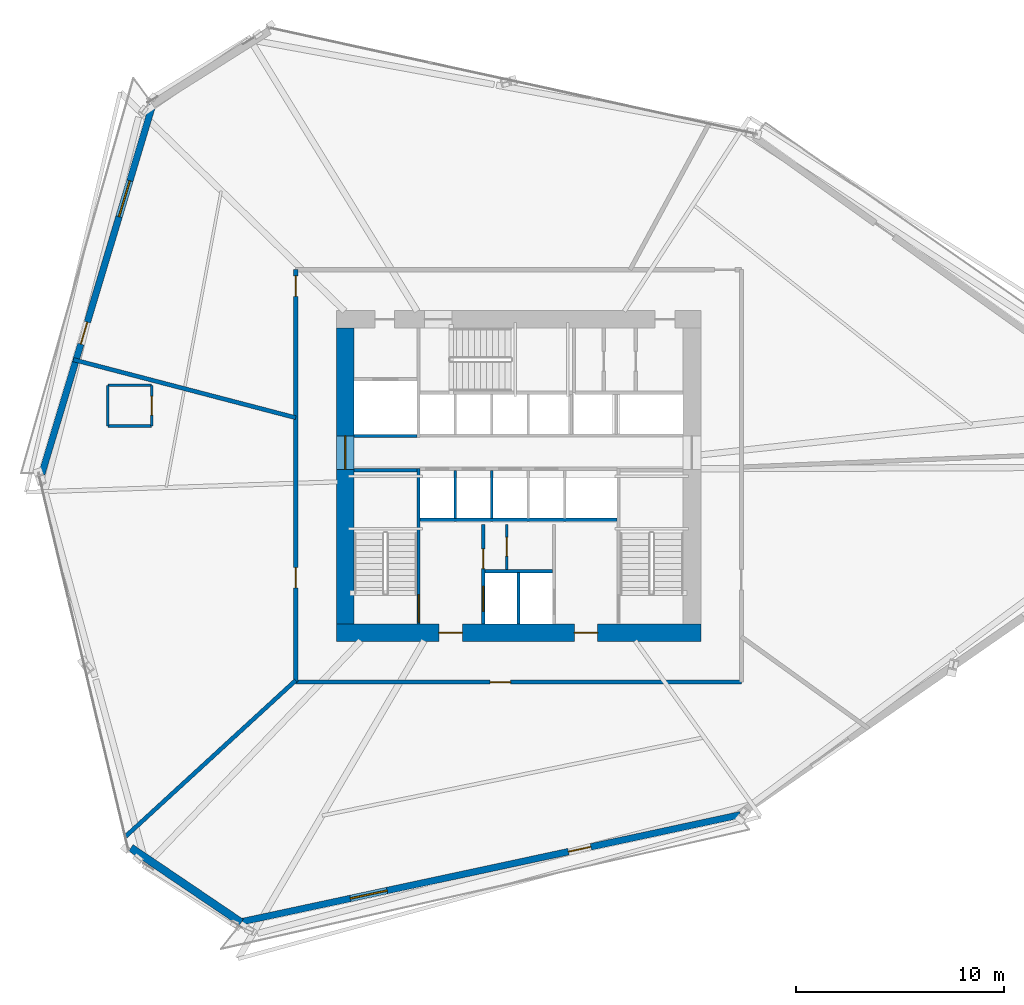
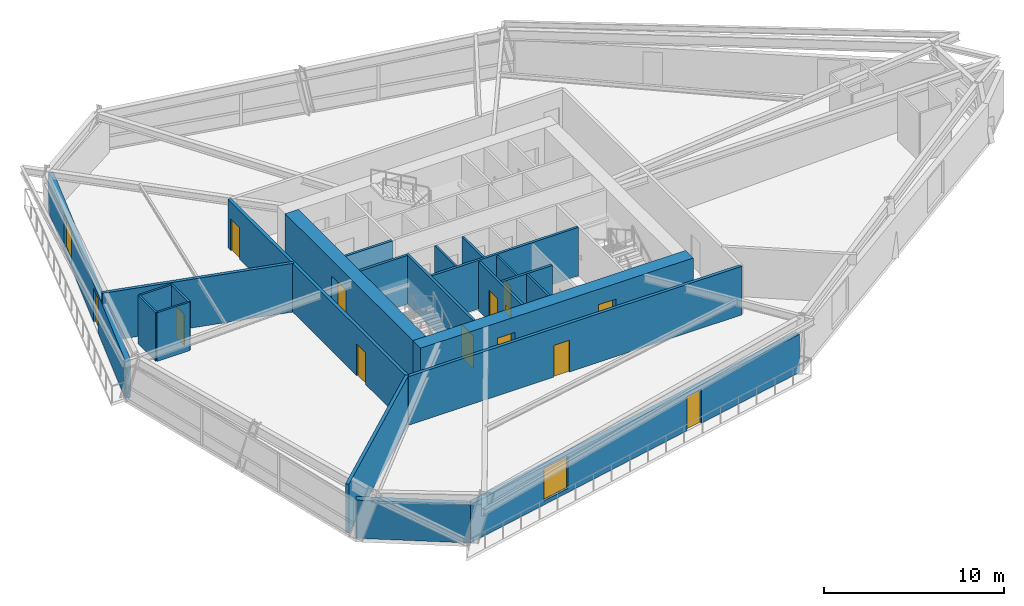
# One storey, part 16 of 21: 23 walls, 13 doors, 2 windows, 15 openings.
"""IFC4 building model written with IfcOpenShell, lengths in metres."""

from ifc_helpers import new_model, si_unit, direction, frame, frame_2d, origin, place, context, subcontext, project, spatial, rectangle, extrude, source, transform, mapped, material, layer, layer_set, type_object, type_shapes, element, fill, save


model = new_model("IFC4")

# Units and contexts
model_context = context("Model", 3, precision=1e-05, world=origin(), true_north=direction((0.0, 1.0)))
body_context = subcontext(model_context, "Body", "Model", "MODEL_VIEW")
ifc_project = project(units=[si_unit("LENGTHUNIT", "METRE"), si_unit("AREAUNIT", "SQUARE_METRE"), si_unit("VOLUMEUNIT", "CUBIC_METRE"), si_unit("PLANEANGLEUNIT", "RADIAN"), si_unit("MASSUNIT", "GRAM", prefix="KILO")], contexts=[model_context])

# Site, building, storey
site_placement = place(None, origin())
site = spatial("IfcSite", under=ifc_project, at=site_placement, CompositionType="ELEMENT")
building_placement = place(site_placement, origin())
building = spatial("IfcBuilding", under=site, at=building_placement, Name="Olszyna Solenne Hotel", CompositionType="ELEMENT")
storey_placement = place(building_placement, frame((0.0, 0.0, 39.949951171875)))
storey = spatial("IfcBuildingStorey", under=building, at=storey_placement, Name="L09", CompositionType="ELEMENT", Elevation=39.949951171875)

# Wall, openings, doors
ifc_material_1 = material(Name="Concrete C60/75", Category="concrete")
ifc_layer_1 = layer(ifc_material_1, 0.85009765625, Name="Concrete C60/75")
ifc_layer_set_1 = layer_set([ifc_layer_1], Name="Concrete C60/75")
wall_type_1 = type_object("IfcWallType", Name="WL-CR850", PredefinedType="SHEAR", material=ifc_layer_set_1)
wall_1_placement = place(storey_placement, frame((46.75, 19.074951171875, 0.0), z_axis=(0.0, 0.0, 1.0), x_axis=(-1.0, 0.0, 0.0)))
wall_1 = element("IfcWall", 1, at=wall_1_placement, inside=storey, type_object=wall_type_1, Name="Core shear wall WL-CR850 CRW-L09-S", PredefinedType="SHEAR", context=body_context, shape_type="SweptSolid", body=[
    extrude(rectangle(XDim=17.5, YDim=0.85009765625, at=frame_2d((8.75, 0.0))), origin(), (0.0, 0.0, 1.0), 3.300048828125),
])
opening_1_placement = place(wall_1_placement, frame((4.949951171875, 0.0, 0.0)))
opening_1 = element("IfcOpeningElement", 2, at=opening_1_placement, cuts=wall_1, Name="Opening FL-L09-1", PredefinedType="OPENING", context=body_context, shape_type="SweptSolid", body=[
    extrude(rectangle(XDim=1.1201171875, YDim=2.25, at=frame_2d((0.56005859375, 1.125))), frame((0.0, 0.43505859375, 0.0), z_axis=(0.0, -1.0, 0.0), x_axis=(1.0, 0.0, 0.0)), (0.0, 0.0, 1.0), 0.8701171875),
])
opening_2_placement = place(wall_1_placement, frame((11.449951171875, 0.0, 0.0)))
opening_2 = element("IfcOpeningElement", 3, at=opening_2_placement, cuts=wall_1, Name="Opening FL-L09-2", PredefinedType="OPENING", context=body_context, shape_type="SweptSolid", body=[
    extrude(rectangle(XDim=1.1201171875, YDim=2.25, at=frame_2d((0.56005859375, 1.125))), frame((0.0, 0.43505859375, 0.0), z_axis=(0.0, -1.0, 0.0), x_axis=(1.0, 0.0, 0.0)), (0.0, 0.0, 1.0), 0.8701171875),
])
ifc_material_2 = material(Name="Steel S355J2", Category="steel")
door_type_1 = type_object("IfcDoorType", Name="DR-FL1", OperationType="NOTDEFINED", PredefinedType="DOOR", material=ifc_material_2)
shared_shape_1 = source(origin(), body_context, "Body", "SweptSolid", [
    extrude(rectangle(XDim=1.1201171875, YDim=2.25, at=frame_2d((0.56005859375, 1.125))), frame((0.0, 0.02490234375, 0.0), z_axis=(0.0, -1.0, 0.0), x_axis=(1.0, 0.0, 0.0)), (0.0, 0.0, 1.0), 0.050048828125),
])
type_shapes(door_type_1, [shared_shape_1])
door_1_placement = place(opening_1_placement, origin())
door_1 = element("IfcDoor", 4, at=door_1_placement, inside=storey, type_object=door_type_1, Name="Firefighting lift lobby smoke door FL-L09-1", OperationType="SINGLE_SWING_LEFT", OverallHeight=2.25, OverallWidth=1.1201171875, PredefinedType="DOOR", context=body_context, shape_type="MappedRepresentation", body=[
    mapped(shared_shape_1, transform((0.0, 0.0, 0.0), x_axis=(1.0, 0.0, 0.0), y_axis=(0.0, 1.0, 0.0), z_axis=(0.0, 0.0, 1.0), scale=1.0)),
])
fill(opening_1, door_1)
door_2_placement = place(opening_2_placement, origin())
door_2 = element("IfcDoor", 5, at=door_2_placement, inside=storey, type_object=door_type_1, Name="Firefighting lift lobby smoke door FL-L09-2", OperationType="SINGLE_SWING_RIGHT", OverallHeight=2.25, OverallWidth=1.1201171875, PredefinedType="DOOR", context=body_context, shape_type="MappedRepresentation", body=[
    mapped(shared_shape_1, transform((0.0, 0.0, 0.0), x_axis=(1.0, 0.0, 0.0), y_axis=(0.0, 1.0, 0.0), z_axis=(0.0, 0.0, 1.0), scale=1.0)),
])
fill(opening_2, door_2)

# Wall, opening, door
wall_2_placement = place(storey_placement, frame((29.675048828125, 19.5, 0.0), z_axis=(0.0, 0.0, 1.0), x_axis=(0.0, 1.0, 0.0)))
wall_2 = element("IfcWall", 6, at=wall_2_placement, inside=storey, type_object=wall_type_1, Name="Core shear wall WL-CR850 CRW-L09-W", PredefinedType="SHEAR", context=body_context, shape_type="SweptSolid", body=[
    extrude(rectangle(XDim=14.199951171875, YDim=0.85009765625, at=frame_2d((7.10009765625, 0.0))), origin(), (0.0, 0.0, 1.0), 3.300048828125),
])
opening_3_placement = place(wall_2_placement, frame((7.419921875, 0.0, 0.0)))
opening_3 = element("IfcOpeningElement", 7, at=opening_3_placement, cuts=wall_2, Name="Opening LHD-L09-W", PredefinedType="OPENING", context=body_context, shape_type="SweptSolid", body=[
    extrude(rectangle(XDim=1.60009765625, YDim=2.199951171875, at=frame_2d((0.800048828125, 1.10009765625))), frame((0.0, 0.43505859375, 0.0), z_axis=(0.0, -1.0, 0.0), x_axis=(1.0, 0.0, 0.0)), (0.0, 0.0, 1.0), 0.8701171875),
])
ifc_material_3 = material(Name="Timber hardwood", Category="wood")
door_type_2 = type_object("IfcDoorType", Name="DR-CR1", OperationType="DOUBLE_DOOR_SINGLE_SWING", PredefinedType="DOOR", material=ifc_material_3)
shared_shape_2 = source(origin(), body_context, "Body", "SweptSolid", [
    extrude(rectangle(XDim=1.60009765625, YDim=2.199951171875, at=frame_2d((0.800048828125, 1.10009765625))), frame((0.0, 0.02490234375, 0.0), z_axis=(0.0, -1.0, 0.0), x_axis=(1.0, 0.0, 0.0)), (0.0, 0.0, 1.0), 0.050048828125),
])
type_shapes(door_type_2, [shared_shape_2])
door_3_placement = place(opening_3_placement, origin())
door_3 = element("IfcDoor", 8, at=door_3_placement, inside=storey, type_object=door_type_2, Name="Passenger lift lobby West fire door LHD-L09-W", OperationType="DOUBLE_DOOR_SINGLE_SWING", OverallHeight=2.199951171875, OverallWidth=1.60009765625, PredefinedType="DOOR", context=body_context, shape_type="MappedRepresentation", body=[
    mapped(shared_shape_2, transform((0.0, 0.0, 0.0), x_axis=(1.0, 0.0, 0.0), y_axis=(0.0, 1.0, 0.0), z_axis=(0.0, 0.0, 1.0), scale=1.0)),
])
fill(opening_3, door_3)

# Wall, openings, door, window
ifc_material_4 = material(Name="Precast concrete C45/55", Category="concrete")
ifc_layer_2 = layer(ifc_material_4, 0.320068359375, Name="Precast concrete C45/55")
ifc_layer_set_2 = layer_set([ifc_layer_2], Name="Precast concrete C45/55")
wall_type_2 = type_object("IfcWallType", Name="WL-EX320", PredefinedType="SOLIDWALL", material=ifc_layer_set_2)
wall_3_placement = place(storey_placement, frame((48.650146484375, 10.331298828125, 0.0), z_axis=(0.0, 0.0, 1.0), x_axis=(-0.977755300127, -0.209748833307, 0.0)))
wall_3 = element("IfcWall", 9, at=wall_3_placement, inside=storey, type_object=wall_type_2, Name="Exterior terracotta-precast frame wall WL-EX320 EW-L09-01", PredefinedType="SOLIDWALL", context=body_context, shape_type="SweptSolid", body=[
    extrude(rectangle(XDim=24.65869140625, YDim=0.320068359375, at=frame_2d((12.329345703125, 0.0))), origin(), (0.0, 0.0, 1.0), 2.592041015625),
])
opening_4_placement = place(wall_3_placement, frame((7.341064453125, 0.0, 0.0)))
opening_4 = element("IfcOpeningElement", 10, at=opening_4_placement, cuts=wall_3, Name="Opening LDG-L09-3", PredefinedType="OPENING", context=body_context, shape_type="SweptSolid", body=[
    extrude(rectangle(XDim=1.10009765625, YDim=2.300048828125, at=frame_2d((0.550048828125, 1.14990234375))), frame((0.0, 0.169921875, 0.0), z_axis=(0.0, -1.0, 0.0), x_axis=(1.0, 0.0, 0.0)), (0.0, 0.0, 1.0), 0.340087890625),
])
opening_5_placement = place(wall_3_placement, frame((17.346923828125, 0.0, 0.27197265625)))
opening_5 = element("IfcOpeningElement", 11, at=opening_5_placement, cuts=wall_3, Name="Opening WN-L09-036", PredefinedType="OPENING", context=body_context, shape_type="SweptSolid", body=[
    extrude(rectangle(XDim=1.800048828125, YDim=2.199951171875, at=frame_2d((0.89990234375, 1.10009765625))), frame((0.0, 0.169921875, 0.0), z_axis=(0.0, -1.0, 0.0), x_axis=(1.0, 0.0, 0.0)), (0.0, 0.0, 1.0), 0.340087890625),
])
ifc_material_5 = material(Name="Anodised bronze aluminium", Category="aluminium")
door_type_3 = type_object("IfcDoorType", Name="DR-LG1", OperationType="NOTDEFINED", PredefinedType="DOOR", material=ifc_material_5)
shared_shape_3 = source(origin(), body_context, "Body", "SweptSolid", [
    extrude(rectangle(XDim=1.10009765625, YDim=2.300048828125, at=frame_2d((0.550048828125, 1.14990234375))), frame((0.0, 0.02490234375, 0.0), z_axis=(0.0, -1.0, 0.0), x_axis=(1.0, 0.0, 0.0)), (0.0, 0.0, 1.0), 0.050048828125),
])
type_shapes(door_type_3, [shared_shape_3])
door_4_placement = place(opening_4_placement, origin())
door_4 = element("IfcDoor", 12, at=door_4_placement, inside=storey, type_object=door_type_3, Name="Exterior loggia balcony door DR-LG1 LDG-L09-3", OperationType="SINGLE_SWING_LEFT", OverallHeight=2.300048828125, OverallWidth=1.10009765625, PredefinedType="DOOR", context=body_context, shape_type="MappedRepresentation", body=[
    mapped(shared_shape_3, transform((0.0, 0.0, 0.0), x_axis=(1.0, 0.0, 0.0), y_axis=(0.0, 1.0, 0.0), z_axis=(0.0, 0.0, 1.0), scale=1.0)),
])
fill(opening_4, door_4)
ifc_material_6 = material(Name="Low-E triple glazing", Category="glass")
window_type = type_object("IfcWindowType", Name="WN-HT1", PartitioningType="SINGLE_PANEL", PredefinedType="WINDOW", material=ifc_material_6)
shared_shape_4 = source(origin(), body_context, "Body", "SweptSolid", [
    extrude(rectangle(XDim=1.800048828125, YDim=2.199951171875, at=frame_2d((0.89990234375, 1.10009765625))), frame((0.0, 0.030029296875, 0.0), z_axis=(0.0, -1.0, 0.0), x_axis=(1.0, 0.0, 0.0)), (0.0, 0.0, 1.0), 0.06005859375),
])
type_shapes(window_type, [shared_shape_4])
window_1_placement = place(opening_5_placement, origin())
window_1 = element("IfcWindow", 13, at=window_1_placement, inside=storey, type_object=window_type, Name="Loggia room window WN-HT1 WN-L09-036", OverallHeight=2.199951171875, OverallWidth=1.800048828125, PartitioningType="SINGLE_PANEL", PredefinedType="WINDOW", context=body_context, shape_type="MappedRepresentation", body=[
    mapped(shared_shape_4, transform((0.0, 0.0, 0.0), x_axis=(1.0, 0.0, 0.0), y_axis=(0.0, 1.0, 0.0), z_axis=(0.0, 0.0, 1.0), scale=1.0)),
])
fill(opening_5, window_1)

wall_4_placement = place(storey_placement, frame((15.108154296875, 26.686767578125, 0.0), z_axis=(0.0, 0.0, 1.0), x_axis=(0.287597573263, 0.957751343436, 0.0)))
wall_4 = element("IfcWall", 14, at=wall_4_placement, inside=storey, type_object=wall_type_2, Name="Exterior terracotta-precast frame wall WL-EX320 EW-L09-04", PredefinedType="SOLIDWALL", context=body_context, shape_type="SweptSolid", body=[
    extrude(rectangle(XDim=18.657958984375, YDim=0.320068359375, at=frame_2d((9.3291015625, 0.0))), origin(), (0.0, 0.0, 1.0), 2.592041015625),
])
opening_6_placement = place(wall_4_placement, frame((6.52099609375, 0.0, 0.0)))
opening_6 = element("IfcOpeningElement", 15, at=opening_6_placement, cuts=wall_4, Name="Opening LDG-L09-2", PredefinedType="OPENING", context=body_context, shape_type="SweptSolid", body=[
    extrude(rectangle(XDim=1.10009765625, YDim=2.300048828125, at=frame_2d((0.550048828125, 1.14990234375))), frame((0.0, 0.169921875, 0.0), z_axis=(0.0, -1.0, 0.0), x_axis=(1.0, 0.0, 0.0)), (0.0, 0.0, 1.0), 0.340087890625),
])
opening_7_placement = place(wall_4_placement, frame((12.906982421875, 0.0, 0.27197265625)))
opening_7 = element("IfcOpeningElement", 16, at=opening_7_placement, cuts=wall_4, Name="Opening WN-L09-037", PredefinedType="OPENING", context=body_context, shape_type="SweptSolid", body=[
    extrude(rectangle(XDim=1.800048828125, YDim=2.199951171875, at=frame_2d((0.89990234375, 1.10009765625))), frame((0.0, 0.169921875, 0.0), z_axis=(0.0, -1.0, 0.0), x_axis=(1.0, 0.0, 0.0)), (0.0, 0.0, 1.0), 0.340087890625),
])
door_5_placement = place(opening_6_placement, origin())
door_5 = element("IfcDoor", 17, at=door_5_placement, inside=storey, type_object=door_type_3, Name="Exterior loggia balcony door DR-LG1 LDG-L09-2", OperationType="SINGLE_SWING_RIGHT", OverallHeight=2.300048828125, OverallWidth=1.10009765625, PredefinedType="DOOR", context=body_context, shape_type="MappedRepresentation", body=[
    mapped(shared_shape_3, transform((0.0, 0.0, 0.0), x_axis=(1.0, 0.0, 0.0), y_axis=(0.0, 1.0, 0.0), z_axis=(0.0, 0.0, 1.0), scale=1.0)),
])
fill(opening_6, door_5)
window_2_placement = place(opening_7_placement, origin())
window_2 = element("IfcWindow", 18, at=window_2_placement, inside=storey, type_object=window_type, Name="Loggia room window WN-HT1 WN-L09-037", OverallHeight=2.199951171875, OverallWidth=1.800048828125, PartitioningType="SINGLE_PANEL", PredefinedType="WINDOW", context=body_context, shape_type="MappedRepresentation", body=[
    mapped(shared_shape_4, transform((0.0, 0.0, 0.0), x_axis=(1.0, 0.0, 0.0), y_axis=(0.0, 1.0, 0.0), z_axis=(0.0, 0.0, 1.0), scale=1.0)),
])
fill(opening_7, window_2)

# Walls
ifc_material_7 = material(Name="Terracotta cladding on precast concrete C45/55", Category="masonry")
ifc_layer_3 = layer(ifc_material_7, 0.3798828125, Name="Terracotta cladding on precast concrete C45/55")
ifc_layer_set_3 = layer_set([ifc_layer_3], Name="Terracotta cladding on precast concrete C45/55")
wall_type_3 = type_object("IfcWallType", Name="WL-EX380", PredefinedType="SOLIDWALL", material=ifc_layer_set_3)
wall_5_placement = place(storey_placement, frame((24.68017578125, 5.16015625, 0.0), z_axis=(0.0, 0.0, 1.0), x_axis=(-0.828077807829, 0.560613185878, 0.0)))
element("IfcWall", 19, at=wall_5_placement, inside=storey, type_object=wall_type_3, Name="Exterior terracotta-precast frame wall WL-EX380 EW-L09-02", PredefinedType="SOLIDWALL", context=body_context, shape_type="SweptSolid", body=[
    extrude(rectangle(XDim=6.3876953125, YDim=0.3798828125, at=frame_2d((3.19384765625, 0.0))), origin(), (0.0, 0.0, 1.0), 2.592041015625),
])
ifc_material_8 = material(Name="Acoustic gypsum partition", Category="gypsum")
ifc_layer_4 = layer(ifc_material_8, 0.125, Name="Acoustic gypsum partition")
ifc_layer_set_4 = layer_set([ifc_layer_4], Name="Acoustic gypsum partition")
wall_type_4 = type_object("IfcWallType", Name="WL-PT125", PredefinedType="PARTITIONING", material=ifc_layer_set_4)
wall_6_placement = place(storey_placement, frame((38.0, 19.5, 0.0), z_axis=(0.0, 0.0, 1.0), x_axis=(0.0, 1.0, 0.0)))
element("IfcWall", 20, at=wall_6_placement, inside=storey, type_object=wall_type_4, Name="Core shaft compartment wall CW-L09-FFM", PredefinedType="PARTITIONING", context=body_context, shape_type="SweptSolid", body=[
    extrude(rectangle(XDim=2.4599609375, YDim=0.125, at=frame_2d((1.22998046875, 0.0))), origin(), (0.0, 0.0, 1.0), 3.300048828125),
])

# Wall, opening, door
wall_7_placement = place(storey_placement, frame((37.44189453125, 22.10009765625, 0.0), z_axis=(0.0, 0.0, 1.0), x_axis=(0.0, 1.0, 0.0)))
wall_7 = element("IfcWall", 21, at=wall_7_placement, inside=storey, type_object=wall_type_4, Name="Core shaft compartment wall CW-L09-SC3", PredefinedType="PARTITIONING", context=body_context, shape_type="SweptSolid", body=[
    extrude(rectangle(XDim=2.179931640625, YDim=0.125, at=frame_2d((1.08984375, 0.0))), origin(), (0.0, 0.0, 1.0), 3.300048828125),
])
opening_8_placement = place(wall_7_placement, frame((0.64990234375, 0.0, 0.0)))
opening_8 = element("IfcOpeningElement", 22, at=opening_8_placement, cuts=wall_7, Name="Opening SVD-L09-SC3", PredefinedType="OPENING", context=body_context, shape_type="SweptSolid", body=[
    extrude(rectangle(XDim=0.89990234375, YDim=2.10009765625, at=frame_2d((0.449951171875, 1.050048828125))), frame((0.0, 0.072509765625, 0.0), z_axis=(0.0, -1.0, 0.0), x_axis=(1.0, 0.0, 0.0)), (0.0, 0.0, 1.0), 0.14501953125),
])
door_type_4 = type_object("IfcDoorType", Name="DR-WC1", OperationType="NOTDEFINED", PredefinedType="DOOR", material=ifc_material_3)
shared_shape_5 = source(origin(), body_context, "Body", "SweptSolid", [
    extrude(rectangle(XDim=0.89990234375, YDim=2.10009765625, at=frame_2d((0.449951171875, 1.050048828125))), frame((0.0, 0.02490234375, 0.0), z_axis=(0.0, -1.0, 0.0), x_axis=(1.0, 0.0, 0.0)), (0.0, 0.0, 1.0), 0.050048828125),
])
type_shapes(door_type_4, [shared_shape_5])
door_6_placement = place(opening_8_placement, origin())
door_6 = element("IfcDoor", 23, at=door_6_placement, inside=storey, type_object=door_type_4, Name="Trolley bay door SVD-L09-SC3", OperationType="SINGLE_SWING_LEFT", OverallHeight=2.10009765625, OverallWidth=0.89990234375, PredefinedType="DOOR", context=body_context, shape_type="MappedRepresentation", body=[
    mapped(shared_shape_5, transform((0.0, 0.0, 0.0), x_axis=(1.0, 0.0, 0.0), y_axis=(0.0, 1.0, 0.0), z_axis=(0.0, 0.0, 1.0), scale=1.0)),
])
fill(opening_8, door_6)

# Walls
for number, where, z_axis, x_axis, name in (
    (24, (34.965087890625, 24.56005859375, 0.0), (0.0, 0.0, 1.0), (0.0, 1.0, 0.0), "Core shaft compartment wall CW-L09-DIVS349"),
    (25, (36.715087890625, 24.56005859375, 0.0), (0.0, 0.0, 1.0), (0.0, 1.0, 0.0), "Core shaft compartment wall CW-L09-DIVS367"),
):
    element("IfcWall", number, at=place(storey_placement, frame(where, z_axis=z_axis, x_axis=x_axis)), inside=storey, type_object=wall_type_4, Name=name, PredefinedType="PARTITIONING", context=body_context, shape_type="SweptSolid", body=[
        extrude(rectangle(XDim=2.31005859375, YDim=0.125, at=frame_2d((1.155029296875, 0.0))), origin(), (0.0, 0.0, 1.0), 3.300048828125),
    ])

# Wall, opening, door
wall_8_placement = place(storey_placement, frame((20.385009765625, 28.9990234375, 0.0), z_axis=(0.0, 0.0, 1.0), x_axis=(0.0, 1.0, 0.0)))
wall_8 = element("IfcWall", 26, at=wall_8_placement, inside=storey, type_object=wall_type_4, Name="Interior acoustic partition WL-PT125 PW-L09-0509", PredefinedType="PARTITIONING", context=body_context, shape_type="SweptSolid", body=[
    extrude(rectangle(XDim=1.949951171875, YDim=0.125, at=frame_2d((0.97509765625, 0.0))), origin(), (0.0, 0.0, 1.0), 3.300048828125),
])
opening_9_placement = place(wall_8_placement, frame((0.52490234375, 0.0, 0.0)))
opening_9 = element("IfcOpeningElement", 27, at=opening_9_placement, cuts=wall_8, Name="Opening DR-L09-0109", PredefinedType="OPENING", context=body_context, shape_type="SweptSolid", body=[
    extrude(rectangle(XDim=0.89990234375, YDim=2.10009765625, at=frame_2d((0.449951171875, 1.050048828125))), frame((0.0, 0.072509765625, 0.0), z_axis=(0.0, -1.0, 0.0), x_axis=(1.0, 0.0, 0.0)), (0.0, 0.0, 1.0), 0.14501953125),
])
door_7_placement = place(opening_9_placement, origin())
door_7 = element("IfcDoor", 28, at=door_7_placement, inside=storey, type_object=door_type_4, Name="En-Suite Bathroom Door DR-L09-0109", OperationType="SINGLE_SWING_RIGHT", OverallHeight=2.10009765625, OverallWidth=0.89990234375, PredefinedType="DOOR", context=body_context, shape_type="MappedRepresentation", body=[
    mapped(shared_shape_5, transform((0.0, 0.0, 0.0), x_axis=(1.0, 0.0, 0.0), y_axis=(0.0, 1.0, 0.0), z_axis=(0.0, 0.0, 1.0), scale=1.0)),
])
fill(opening_9, door_7)

# Walls
wall_9_placement = place(storey_placement, frame((20.385009765625, 30.948974609375, 0.0), z_axis=(0.0, 0.0, 1.0), x_axis=(-1.0, 0.0, 0.0)))
element("IfcWall", 29, at=wall_9_placement, inside=storey, type_object=wall_type_4, Name="Interior acoustic partition WL-PT125 PW-L09-0510", PredefinedType="PARTITIONING", context=body_context, shape_type="SweptSolid", body=[
    extrude(rectangle(XDim=2.10009765625, YDim=0.125, at=frame_2d((1.050048828125, 0.0))), origin(), (0.0, 0.0, 1.0), 3.300048828125),
])
wall_10_placement = place(storey_placement, frame((18.284912109375, 30.948974609375, 0.0), z_axis=(0.0, 0.0, 1.0), x_axis=(0.0, -1.0, 0.0)))
element("IfcWall", 30, at=wall_10_placement, inside=storey, type_object=wall_type_4, Name="Interior acoustic partition WL-PT125 PW-L09-0511", PredefinedType="PARTITIONING", context=body_context, shape_type="SweptSolid", body=[
    extrude(rectangle(XDim=1.949951171875, YDim=0.125, at=frame_2d((0.97509765625, 0.0))), origin(), (0.0, 0.0, 1.0), 3.300048828125),
])
wall_11_placement = place(storey_placement, frame((18.284912109375, 28.9990234375, 0.0), z_axis=(0.0, 0.0, 1.0), x_axis=(1.0, 0.0, 0.0)))
element("IfcWall", 31, at=wall_11_placement, inside=storey, type_object=wall_type_4, Name="Interior acoustic partition WL-PT125 PW-L09-0512", PredefinedType="PARTITIONING", context=body_context, shape_type="SweptSolid", body=[
    extrude(rectangle(XDim=2.10009765625, YDim=0.125, at=frame_2d((1.050048828125, 0.0))), origin(), (0.0, 0.0, 1.0), 3.300048828125),
])

# Wall, opening, door
ifc_layer_5 = layer(ifc_material_8, 0.159912109375, Name="Acoustic gypsum partition")
ifc_layer_set_5 = layer_set([ifc_layer_5], Name="Acoustic gypsum partition")
wall_type_5 = type_object("IfcWallType", Name="WL-PT160", PredefinedType="PARTITIONING", material=ifc_layer_set_5)
wall_12_placement = place(storey_placement, frame((33.199951171875, 19.5, 0.0), z_axis=(0.0, 0.0, 1.0), x_axis=(0.0, 1.0, 0.0)))
wall_12 = element("IfcWall", 32, at=wall_12_placement, inside=storey, type_object=wall_type_5, Name="Core shaft compartment wall CW-L09-ST1E", PredefinedType="PARTITIONING", context=body_context, shape_type="SweptSolid", body=[
    extrude(rectangle(XDim=7.4599609375, YDim=0.159912109375, at=frame_2d((3.72998046875, 0.0))), origin(), (0.0, 0.0, 1.0), 3.300048828125),
])
opening_10_placement = place(wall_12_placement, frame((0.080078125, 0.0, 0.0)))
opening_10 = element("IfcOpeningElement", 33, at=opening_10_placement, cuts=wall_12, Name="Opening STD-L09-01", PredefinedType="OPENING", context=body_context, shape_type="SweptSolid", body=[
    extrude(rectangle(XDim=1.320068359375, YDim=2.199951171875, at=frame_2d((0.66015625, 1.10009765625))), frame((0.0, 0.08984375, 0.0), z_axis=(0.0, -1.0, 0.0), x_axis=(1.0, 0.0, 0.0)), (0.0, 0.0, 1.0), 0.179931640625),
])
door_type_5 = type_object("IfcDoorType", Name="DR-ST1", OperationType="NOTDEFINED", PredefinedType="DOOR", material=ifc_material_2)
shared_shape_6 = source(origin(), body_context, "Body", "SweptSolid", [
    extrude(rectangle(XDim=1.320068359375, YDim=2.199951171875, at=frame_2d((0.66015625, 1.10009765625))), frame((0.0, 0.02490234375, 0.0), z_axis=(0.0, -1.0, 0.0), x_axis=(1.0, 0.0, 0.0)), (0.0, 0.0, 1.0), 0.050048828125),
])
type_shapes(door_type_5, [shared_shape_6])
door_8_placement = place(opening_10_placement, origin())
door_8 = element("IfcDoor", 34, at=door_8_placement, inside=storey, type_object=door_type_5, Name="Pressurised exit stair ST1 fire door STD-L09-01", OperationType="SINGLE_SWING_LEFT", OverallHeight=2.199951171875, OverallWidth=1.320068359375, PredefinedType="DOOR", context=body_context, shape_type="MappedRepresentation", body=[
    mapped(shared_shape_6, transform((0.0, 0.0, 0.0), x_axis=(1.0, 0.0, 0.0), y_axis=(0.0, 1.0, 0.0), z_axis=(0.0, 0.0, 1.0), scale=1.0)),
])
fill(opening_10, door_8)

# Wall
wall_13_placement = place(storey_placement, frame((30.10009765625, 26.8798828125, 0.0), z_axis=(0.0, 0.0, 1.0), x_axis=(1.0, 0.0, 0.0)))
element("IfcWall", 35, at=wall_13_placement, inside=storey, type_object=wall_type_5, Name="Core shaft compartment wall CW-L09-ST1N", PredefinedType="PARTITIONING", context=body_context, shape_type="SweptSolid", body=[
    extrude(rectangle(XDim=3.02001953125, YDim=0.159912109375, at=frame_2d((1.510009765625, 0.0))), origin(), (0.0, 0.0, 1.0), 3.300048828125),
])

# Wall, openings, doors
wall_14_placement = place(storey_placement, frame((36.300048828125, 19.5, 0.0), z_axis=(0.0, 0.0, 1.0), x_axis=(0.0, 1.0, 0.0)))
wall_14 = element("IfcWall", 36, at=wall_14_placement, inside=storey, type_object=wall_type_5, Name="Core shaft compartment wall CW-L09-FF1W", PredefinedType="PARTITIONING", context=body_context, shape_type="SweptSolid", body=[
    extrude(rectangle(XDim=4.780029296875, YDim=0.159912109375, at=frame_2d((2.39013671875, 0.0))), origin(), (0.0, 0.0, 1.0), 3.300048828125),
])
opening_11_placement = place(wall_14_placement, frame((0.60009765625, 0.0, 0.0)))
opening_11 = element("IfcOpeningElement", 37, at=opening_11_placement, cuts=wall_14, Name="Opening LD-L09-FF1", PredefinedType="OPENING", context=body_context, shape_type="SweptSolid", body=[
    extrude(rectangle(XDim=1.199951171875, YDim=2.199951171875, at=frame_2d((0.60009765625, 1.10009765625))), frame((0.0, 0.08984375, 0.0), z_axis=(0.0, -1.0, 0.0), x_axis=(1.0, 0.0, 0.0)), (0.0, 0.0, 1.0), 0.179931640625),
])
opening_12_placement = place(wall_14_placement, frame((2.64990234375, 0.0, 0.0)))
opening_12 = element("IfcOpeningElement", 38, at=opening_12_placement, cuts=wall_14, Name="Opening SVD-L09-SMK", PredefinedType="OPENING", context=body_context, shape_type="SweptSolid", body=[
    extrude(rectangle(XDim=0.949951171875, YDim=2.10009765625, at=frame_2d((0.47509765625, 1.050048828125))), frame((0.0, 0.08984375, 0.0), z_axis=(0.0, -1.0, 0.0), x_axis=(1.0, 0.0, 0.0)), (0.0, 0.0, 1.0), 0.179931640625),
])
door_type_6 = type_object("IfcDoorType", Name="DR-SV1", OperationType="NOTDEFINED", PredefinedType="DOOR", material=ifc_material_2)
shared_shape_7 = source(origin(), body_context, "Body", "SweptSolid", [
    extrude(rectangle(XDim=0.949951171875, YDim=2.10009765625, at=frame_2d((0.47509765625, 1.050048828125))), frame((0.0, 0.02490234375, 0.0), z_axis=(0.0, -1.0, 0.0), x_axis=(1.0, 0.0, 0.0)), (0.0, 0.0, 1.0), 0.050048828125),
])
type_shapes(door_type_6, [shared_shape_7])
door_9_placement = place(opening_12_placement, origin())
door_9 = element("IfcDoor", 39, at=door_9_placement, inside=storey, type_object=door_type_6, Name="Valet and core service room door SVD-L09-SMK", OperationType="SINGLE_SWING_LEFT", OverallHeight=2.10009765625, OverallWidth=0.949951171875, PredefinedType="DOOR", context=body_context, shape_type="MappedRepresentation", body=[
    mapped(shared_shape_7, transform((0.0, 0.0, 0.0), x_axis=(1.0, 0.0, 0.0), y_axis=(0.0, 1.0, 0.0), z_axis=(0.0, 0.0, 1.0), scale=1.0)),
])
fill(opening_12, door_9)
door_type_7 = type_object("IfcDoorType", Name="LD-FF1", OperationType="DOUBLE_DOOR_SLIDING", PredefinedType="DOOR", material=ifc_material_2)
shared_shape_8 = source(origin(), body_context, "Body", "SweptSolid", [
    extrude(rectangle(XDim=1.199951171875, YDim=2.199951171875, at=frame_2d((0.60009765625, 1.10009765625))), frame((0.0, 0.02490234375, 0.0), z_axis=(0.0, -1.0, 0.0), x_axis=(1.0, 0.0, 0.0)), (0.0, 0.0, 1.0), 0.050048828125),
])
type_shapes(door_type_7, [shared_shape_8])
door_10_placement = place(opening_11_placement, origin())
door_10 = element("IfcDoor", 40, at=door_10_placement, inside=storey, type_object=door_type_7, Name="Firefighters lift FF1 sliding landing door LD-L09-FF1", OperationType="DOUBLE_DOOR_SLIDING", OverallHeight=2.199951171875, OverallWidth=1.199951171875, PredefinedType="DOOR", context=body_context, shape_type="MappedRepresentation", body=[
    mapped(shared_shape_8, transform((0.0, 0.0, 0.0), x_axis=(1.0, 0.0, 0.0), y_axis=(0.0, 1.0, 0.0), z_axis=(0.0, 0.0, 1.0), scale=1.0)),
])
fill(opening_11, door_10)

# Walls
wall_15_placement = place(storey_placement, frame((36.3798828125, 22.02001953125, 0.0), z_axis=(0.0, 0.0, 1.0), x_axis=(1.0, 0.0, 0.0)))
element("IfcWall", 41, at=wall_15_placement, inside=storey, type_object=wall_type_5, Name="Core shaft compartment wall CW-L09-FFN", PredefinedType="PARTITIONING", context=body_context, shape_type="SweptSolid", body=[
    extrude(rectangle(XDim=3.240234375, YDim=0.159912109375, at=frame_2d((1.6201171875, 0.0))), origin(), (0.0, 0.0, 1.0), 3.300048828125),
])
wall_16_placement = place(storey_placement, frame((33.280029296875, 24.489990234375, 0.0), z_axis=(0.0, 0.0, 1.0), x_axis=(1.0, 0.0, 0.0)))
element("IfcWall", 42, at=wall_16_placement, inside=storey, type_object=wall_type_5, Name="Core shaft compartment wall CW-L09-FFBN", PredefinedType="PARTITIONING", context=body_context, shape_type="SweptSolid", body=[
    extrude(rectangle(XDim=9.43994140625, YDim=0.159912109375, at=frame_2d((4.719970703125, 0.0))), origin(), (0.0, 0.0, 1.0), 3.300048828125),
])
wall_17_placement = place(storey_placement, frame((30.10009765625, 28.52001953125, 0.0), z_axis=(0.0, 0.0, 1.0), x_axis=(1.0, 0.0, 0.0)))
element("IfcWall", 43, at=wall_17_placement, inside=storey, type_object=wall_type_5, Name="Core shaft compartment wall CW-L09-SV1S", PredefinedType="PARTITIONING", context=body_context, shape_type="SweptSolid", body=[
    extrude(rectangle(XDim=3.02001953125, YDim=0.159912109375, at=frame_2d((1.510009765625, 0.0))), origin(), (0.0, 0.0, 1.0), 3.300048828125),
])
ifc_layer_6 = layer(ifc_material_8, 0.199951171875, Name="Acoustic gypsum partition")
ifc_layer_set_6 = layer_set([ifc_layer_6], Name="Acoustic gypsum partition")
wall_type_6 = type_object("IfcWallType", Name="WL-PT200", PredefinedType="PARTITIONING", material=ifc_layer_set_6)
wall_18_placement = place(storey_placement, frame((27.300048828125, 29.3955078125, 0.0), z_axis=(0.0, 0.0, 1.0), x_axis=(-0.967532637316, 0.252746109227, 0.0)))
element("IfcWall", 44, at=wall_18_placement, inside=storey, type_object=wall_type_6, Name="Interior acoustic partition WL-PT200 PW-L09-0502", PredefinedType="PARTITIONING", context=body_context, shape_type="SweptSolid", body=[
    extrude(rectangle(XDim=11.03515625, YDim=0.199951171875, at=frame_2d((5.517578125, 0.0))), origin(), (0.0, 0.0, 1.0), 3.300048828125),
])
wall_19_placement = place(storey_placement, frame((27.300048828125, 16.783203125, 0.0), z_axis=(0.0, 0.0, 1.0), x_axis=(-0.73685833928, -0.676047178703, 0.0)))
element("IfcWall", 45, at=wall_19_placement, inside=storey, type_object=wall_type_6, Name="Interior acoustic partition WL-PT200 PW-L09-0503", PredefinedType="PARTITIONING", context=body_context, shape_type="SweptSolid", body=[
    extrude(rectangle(XDim=11.068603515625, YDim=0.199951171875, at=frame_2d((5.5341796875, 0.0))), origin(), (0.0, 0.0, 1.0), 3.300048828125),
])

# Wall, opening, door
wall_20_placement = place(storey_placement, frame((27.300048828125, 16.699951171875, 0.0), z_axis=(0.0, 0.0, 1.0), x_axis=(1.0, 0.0, 0.0)))
wall_20 = element("IfcWall", 46, at=wall_20_placement, inside=storey, type_object=wall_type_6, Name="Interior acoustic partition WL-PT200 PW-L09-0517", PredefinedType="PARTITIONING", context=body_context, shape_type="SweptSolid", body=[
    extrude(rectangle(XDim=21.39990234375, YDim=0.199951171875, at=frame_2d((10.699951171875, 0.0))), origin(), (0.0, 0.0, 1.0), 3.300048828125),
])
opening_13_placement = place(wall_20_placement, frame((9.340087890625, 0.0, 0.0)))
opening_13 = element("IfcOpeningElement", 47, at=opening_13_placement, cuts=wall_20, Name="Opening DR-L09-0111", PredefinedType="OPENING", context=body_context, shape_type="SweptSolid", body=[
    extrude(rectangle(XDim=0.97998046875, YDim=2.14990234375, at=frame_2d((0.489990234375, 1.074951171875))), frame((0.0, 0.10986328125, 0.0), z_axis=(0.0, -1.0, 0.0), x_axis=(1.0, 0.0, 0.0)), (0.0, 0.0, 1.0), 0.219970703125),
])
door_type_8 = type_object("IfcDoorType", Name="DR-RM1", OperationType="NOTDEFINED", PredefinedType="DOOR", material=ifc_material_3)
shared_shape_9 = source(origin(), body_context, "Body", "SweptSolid", [
    extrude(rectangle(XDim=0.97998046875, YDim=2.14990234375, at=frame_2d((0.489990234375, 1.074951171875))), frame((0.0, 0.02490234375, 0.0), z_axis=(0.0, -1.0, 0.0), x_axis=(1.0, 0.0, 0.0)), (0.0, 0.0, 1.0), 0.050048828125),
])
type_shapes(door_type_8, [shared_shape_9])
door_11_placement = place(opening_13_placement, origin())
door_11 = element("IfcDoor", 48, at=door_11_placement, inside=storey, type_object=door_type_8, Name="Private Business Office Entrance Door DR-L09-0111", OperationType="SINGLE_SWING_LEFT", OverallHeight=2.14990234375, OverallWidth=0.97998046875, PredefinedType="DOOR", context=body_context, shape_type="MappedRepresentation", body=[
    mapped(shared_shape_9, transform((0.0, 0.0, 0.0), x_axis=(1.0, 0.0, 0.0), y_axis=(0.0, 1.0, 0.0), z_axis=(0.0, 0.0, 1.0), scale=1.0)),
])
fill(opening_13, door_11)

# Wall, openings, doors
wall_21_placement = place(storey_placement, frame((27.300048828125, 16.699951171875, 0.0), z_axis=(0.0, 0.0, 1.0), x_axis=(0.0, 1.0, 0.0)))
wall_21 = element("IfcWall", 49, at=wall_21_placement, inside=storey, type_object=wall_type_6, Name="Interior acoustic partition WL-PT200 PW-L09-0518", PredefinedType="PARTITIONING", context=body_context, shape_type="SweptSolid", body=[
    extrude(rectangle(XDim=19.800048828125, YDim=0.199951171875, at=frame_2d((9.89990234375, 0.0))), origin(), (0.0, 0.0, 1.0), 3.300048828125),
])
opening_14_placement = place(wall_21_placement, frame((18.52001953125, 0.0, 0.0)))
opening_14 = element("IfcOpeningElement", 50, at=opening_14_placement, cuts=wall_21, Name="Opening DR-L09-0112", PredefinedType="OPENING", context=body_context, shape_type="SweptSolid", body=[
    extrude(rectangle(XDim=0.97998046875, YDim=2.14990234375, at=frame_2d((0.489990234375, 1.074951171875))), frame((0.0, 0.10986328125, 0.0), z_axis=(0.0, -1.0, 0.0), x_axis=(1.0, 0.0, 0.0)), (0.0, 0.0, 1.0), 0.219970703125),
])
opening_15_placement = place(wall_21_placement, frame((4.52099609375, 0.0, 0.0)))
opening_15 = element("IfcOpeningElement", 51, at=opening_15_placement, cuts=wall_21, Name="Opening DR-L09-0113", PredefinedType="OPENING", context=body_context, shape_type="SweptSolid", body=[
    extrude(rectangle(XDim=0.97998046875, YDim=2.14990234375, at=frame_2d((0.489990234375, 1.074951171875))), frame((0.0, 0.10986328125, 0.0), z_axis=(0.0, -1.0, 0.0), x_axis=(1.0, 0.0, 0.0)), (0.0, 0.0, 1.0), 0.219970703125),
])
door_12_placement = place(opening_14_placement, origin())
door_12 = element("IfcDoor", 52, at=door_12_placement, inside=storey, type_object=door_type_8, Name="Executive Club Lounge Entrance Door DR-L09-0112", OperationType="SINGLE_SWING_LEFT", OverallHeight=2.14990234375, OverallWidth=0.97998046875, PredefinedType="DOOR", context=body_context, shape_type="MappedRepresentation", body=[
    mapped(shared_shape_9, transform((0.0, 0.0, 0.0), x_axis=(1.0, 0.0, 0.0), y_axis=(0.0, 1.0, 0.0), z_axis=(0.0, 0.0, 1.0), scale=1.0)),
])
fill(opening_14, door_12)
door_13_placement = place(opening_15_placement, origin())
door_13 = element("IfcDoor", 53, at=door_13_placement, inside=storey, type_object=door_type_8, Name="Corner Panorama Suite Entrance Door DR-L09-0113", OperationType="SINGLE_SWING_RIGHT", OverallHeight=2.14990234375, OverallWidth=0.97998046875, PredefinedType="DOOR", context=body_context, shape_type="MappedRepresentation", body=[
    mapped(shared_shape_9, transform((0.0, 0.0, 0.0), x_axis=(1.0, 0.0, 0.0), y_axis=(0.0, 1.0, 0.0), z_axis=(0.0, 0.0, 1.0), scale=1.0)),
])
fill(opening_15, door_13)

save(model, "model.ifc")
